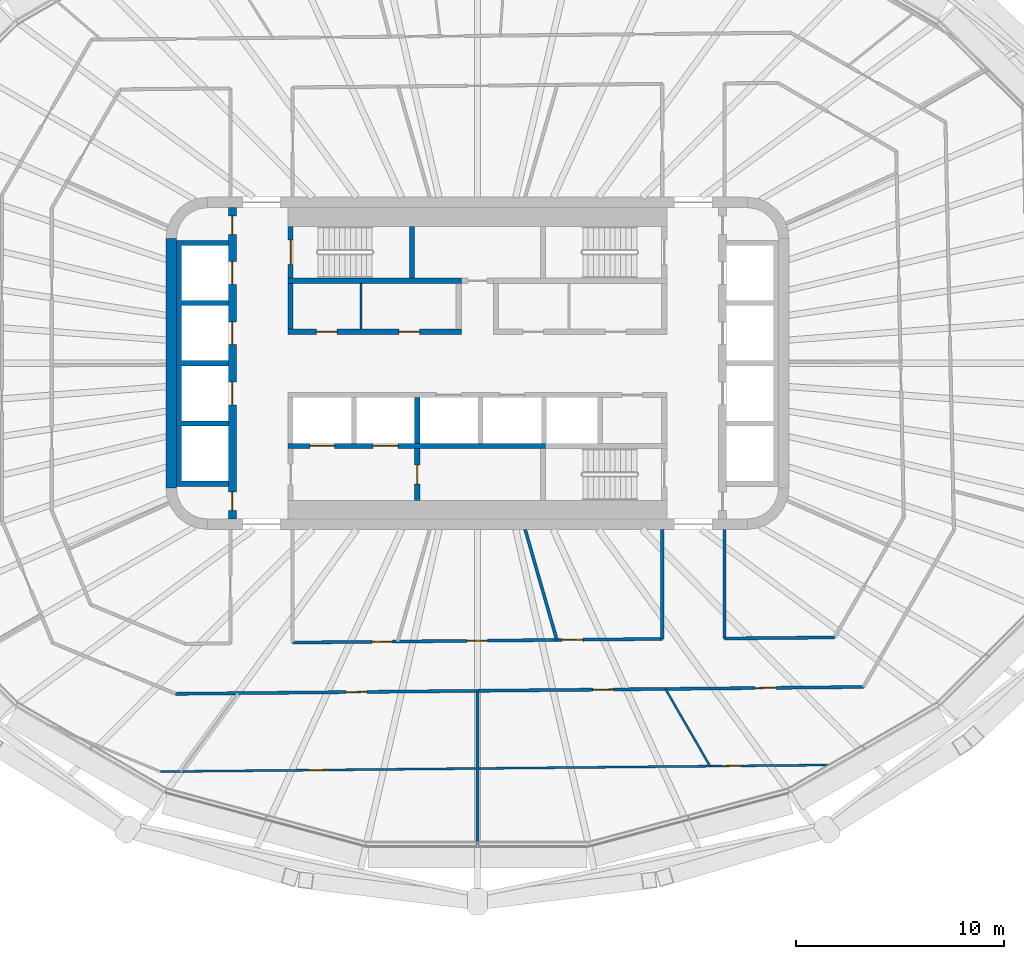
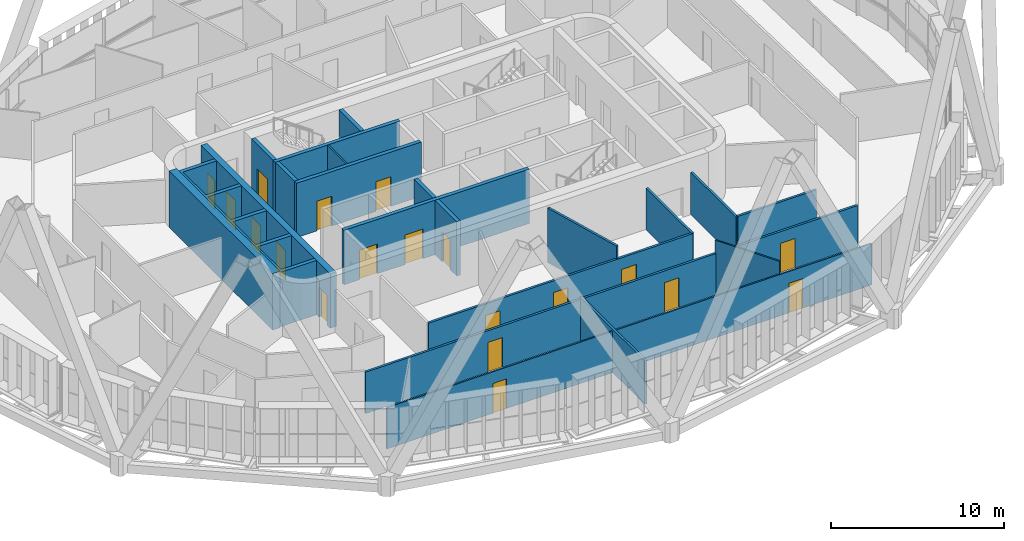
# One storey, part 13 of 25: 21 walls, 19 doors, 19 openings.
"""IFC4 building model written with IfcOpenShell, lengths in metres."""

from ifc_helpers import new_model, si_unit, direction, frame, frame_2d, origin, place, context, subcontext, project, spatial, polyline, rectangle, outline, extrude, material, layer, layer_set, type_object, element, fill, save


model = new_model("IFC4")

# Units and contexts
model_context = context("Model", 3, precision=1e-05, world=origin(), true_north=direction((0.0, 1.0)))
body_context = subcontext(model_context, "Body", "Model", "MODEL_VIEW")
ifc_project = project(units=[si_unit("LENGTHUNIT", "METRE"), si_unit("AREAUNIT", "SQUARE_METRE"), si_unit("VOLUMEUNIT", "CUBIC_METRE"), si_unit("PLANEANGLEUNIT", "RADIAN"), si_unit("MASSUNIT", "GRAM", prefix="KILO")], contexts=[model_context])

# Site, building, storey
site_placement = place(None, origin())
site = spatial("IfcSite", under=ifc_project, at=site_placement, CompositionType="ELEMENT")
building_placement = place(site_placement, origin())
building = spatial("IfcBuilding", under=site, at=building_placement, Name="Sahrelin Media Tower", CompositionType="ELEMENT")
storey_placement = place(building_placement, frame((0.0, 0.0, 181.60009765625)))
storey = spatial("IfcBuildingStorey", under=building, at=storey_placement, Name="L38", CompositionType="ELEMENT", Elevation=181.60009765625)

# Wall
ifc_material_1 = material(Name="Concrete C60/75", Category="concrete")
ifc_layer_1 = layer(ifc_material_1, 0.5)
ifc_layer_set_1 = layer_set([ifc_layer_1], Name="Core wall 500")
wall_type_1 = type_object("IfcWallType", Name="Core wall 500", PredefinedType="SHEAR", material=ifc_layer_set_1)
wall_1_placement = place(storey_placement, frame((-14.75, -6.0, 0.0), z_axis=(0.0, 0.0, 1.0), x_axis=(0.0, 1.0, 0.0)))
element("IfcWall", 1, at=wall_1_placement, inside=storey, type_object=wall_type_1, Name="Core wall W L38", PredefinedType="SHEAR", context=body_context, shape_type="SweptSolid", body=[
    extrude(rectangle(XDim=12.0, YDim=0.5, at=frame_2d((6.0, 0.0))), origin(), (0.0, 0.0, 1.0), 4.0),
])

# Wall, openings, doors
ifc_material_2 = material(Name="Fire-rated gypsum board partition")
ifc_layer_2 = layer(ifc_material_2, 0.25)
ifc_layer_set_2 = layer_set([ifc_layer_2], Name="Fire-rated lobby wall 250")
wall_type_2 = type_object("IfcWallType", Name="Fire-rated lobby wall 250", PredefinedType="PARTITIONING", material=ifc_layer_set_2)
wall_2_placement = place(storey_placement, frame((-9.125, 1.52490234375, 0.0), z_axis=(0.0, 0.0, 1.0), x_axis=(1.0, 0.0, 0.0)))
wall_2 = element("IfcWall", 2, at=wall_2_placement, inside=storey, type_object=wall_type_2, Name="Core lobby wall", PredefinedType="PARTITIONING", context=body_context, shape_type="SweptSolid", body=[
    extrude(rectangle(XDim=8.35009765625, YDim=0.25, at=frame_2d((4.175048828125, 0.0))), origin(), (0.0, 0.0, 1.0), 3.849853515625),
])
opening_1_placement = place(wall_2_placement, frame((1.362548828125, 0.0, 0.0)))
opening_1 = element("IfcOpeningElement", 3, at=opening_1_placement, cuts=wall_2, Name="Opening L38-D07", PredefinedType="OPENING", context=body_context, shape_type="SweptSolid", body=[
    extrude(rectangle(XDim=1.0, YDim=2.10009765625, at=frame_2d((0.5, 1.050048828125))), frame((0.0, 0.125, 0.0), z_axis=(0.0, -1.0, 0.0), x_axis=(1.0, 0.0, 0.0)), (0.0, 0.0, 1.0), 0.25),
])
opening_2_placement = place(wall_2_placement, frame((5.33740234375, 0.0, 0.0)))
opening_2 = element("IfcOpeningElement", 4, at=opening_2_placement, cuts=wall_2, Name="Opening L38-D08", PredefinedType="OPENING", context=body_context, shape_type="SweptSolid", body=[
    extrude(rectangle(XDim=1.0, YDim=2.10009765625, at=frame_2d((0.5, 1.050048828125))), frame((0.0, 0.125, 0.0), z_axis=(0.0, -1.0, 0.0), x_axis=(1.0, 0.0, 0.0)), (0.0, 0.0, 1.0), 0.25),
])
ifc_material_3 = material(Name="Steel fire door leaf", Category="steel")
door_type_1 = type_object("IfcDoorType", Name="Fire door 1000 x 2100 EI 60", OperationType="NOTDEFINED", PredefinedType="DOOR", material=ifc_material_3)
door_1_placement = place(opening_1_placement, origin())
door_1 = element("IfcDoor", 5, at=door_1_placement, inside=storey, type_object=door_type_1, Name="Core room door", OperationType="SINGLE_SWING_LEFT", OverallHeight=2.10009765625, OverallWidth=1.0, PredefinedType="DOOR", context=body_context, shape_type="SweptSolid", body=[
    extrude(rectangle(XDim=1.0, YDim=2.10009765625, at=frame_2d((0.5, 1.050048828125))), frame((0.0, 0.02490234375, 0.0), z_axis=(0.0, -1.0, 0.0), x_axis=(1.0, 0.0, 0.0)), (0.0, 0.0, 1.0), 0.050048828125),
])
fill(opening_1, door_1)
door_2_placement = place(opening_2_placement, origin())
door_2 = element("IfcDoor", 6, at=door_2_placement, inside=storey, type_object=door_type_1, Name="Core room door", OperationType="SINGLE_SWING_LEFT", OverallHeight=2.10009765625, OverallWidth=1.0, PredefinedType="DOOR", context=body_context, shape_type="SweptSolid", body=[
    extrude(rectangle(XDim=1.0, YDim=2.10009765625, at=frame_2d((0.5, 1.050048828125))), frame((0.0, 0.02490234375, 0.0), z_axis=(0.0, -1.0, 0.0), x_axis=(1.0, 0.0, 0.0)), (0.0, 0.0, 1.0), 0.050048828125),
])
fill(opening_2, door_2)

# Walls
wall_3_placement = place(storey_placement, frame((-9.0, 1.64990234375, 0.0), z_axis=(0.0, 0.0, 1.0), x_axis=(0.0, 1.0, 0.0)))
element("IfcWall", 7, at=wall_3_placement, inside=storey, type_object=wall_type_2, Name="Core lobby wall", PredefinedType="PARTITIONING", context=body_context, shape_type="SweptSolid", body=[
    extrude(rectangle(XDim=2.2001953125, YDim=0.25, at=frame_2d((1.10009765625, 0.0))), origin(), (0.0, 0.0, 1.0), 3.849853515625),
])
ifc_layer_3 = layer(ifc_material_2, 0.10009765625)
ifc_layer_set_3 = layer_set([ifc_layer_3], Name="Fire-rated partition 100")
wall_type_3 = type_object("IfcWallType", Name="Fire-rated partition 100", PredefinedType="PARTITIONING", material=ifc_layer_set_3)
wall_4_placement = place(storey_placement, frame((-5.60009765625, 1.64990234375, 0.0), z_axis=(0.0, 0.0, 1.0), x_axis=(0.0, 1.0, 0.0)))
element("IfcWall", 8, at=wall_4_placement, inside=storey, type_object=wall_type_3, Name="Core room partition", PredefinedType="PARTITIONING", context=body_context, shape_type="SweptSolid", body=[
    extrude(rectangle(XDim=2.2001953125, YDim=0.10009765625, at=frame_2d((1.10009765625, 0.0))), origin(), (0.0, 0.0, 1.0), 3.849853515625),
])
ifc_layer_4 = layer(ifc_material_2, 0.14990234375)
ifc_layer_set_4 = layer_set([ifc_layer_4], Name="Fire-rated partition 150")
wall_type_4 = type_object("IfcWallType", Name="Fire-rated partition 150", PredefinedType="PARTITIONING", material=ifc_layer_set_4)
wall_5_placement = place(storey_placement, frame((2.2958984375, -8.0, 0.0), z_axis=(0.0, 0.0, 1.0), x_axis=(0.275935525478, -0.961176147113, 0.0)))
element("IfcWall", 9, at=wall_5_placement, inside=storey, type_object=wall_type_4, Name="Wall", PredefinedType="PARTITIONING", context=body_context, shape_type="SweptSolid", body=[
    extrude(rectangle(XDim=5.54833984375, YDim=0.14990234375, at=frame_2d((2.774169921875, 0.0))), origin(), (0.0, 0.0, 1.0), 3.849853515625),
])

# Wall, openings, doors
wall_6_placement = place(storey_placement, frame((-14.533935546875, -15.916015625, 0.0), z_axis=(0.0, 0.0, 1.0), x_axis=(0.999950564508, 0.009943266119, 0.0)))
wall_6 = element("IfcWall", 10, at=wall_6_placement, inside=storey, type_object=wall_type_4, Name="Wall", PredefinedType="PARTITIONING", context=body_context, shape_type="SweptSolid", body=[
    extrude(rectangle(XDim=33.12255859375, YDim=0.14990234375, at=frame_2d((16.561279296875, 0.0))), origin(), (0.0, 0.0, 1.0), 2.927001953125),
])
opening_3_placement = place(wall_6_placement, frame((20.09130859375, 0.0, 0.0)))
opening_3 = element("IfcOpeningElement", 11, at=opening_3_placement, cuts=wall_6, Name="Opening L38-D34", PredefinedType="OPENING", context=body_context, shape_type="SweptSolid", body=[
    extrude(rectangle(XDim=1.0, YDim=2.10009765625, at=frame_2d((0.5, 1.050048828125))), frame((0.0, 0.074951171875, 0.0), z_axis=(0.0, -1.0, 0.0), x_axis=(1.0, 0.0, 0.0)), (0.0, 0.0, 1.0), 0.14990234375),
])
opening_4_placement = place(wall_6_placement, frame((27.90576171875, 0.0, 0.0)))
opening_4 = element("IfcOpeningElement", 12, at=opening_4_placement, cuts=wall_6, Name="Opening L38-D35", PredefinedType="OPENING", context=body_context, shape_type="SweptSolid", body=[
    extrude(rectangle(XDim=1.0, YDim=2.10009765625, at=frame_2d((0.5, 1.050048828125))), frame((0.0, 0.074951171875, 0.0), z_axis=(0.0, -1.0, 0.0), x_axis=(1.0, 0.0, 0.0)), (0.0, 0.0, 1.0), 0.14990234375),
])
opening_5_placement = place(wall_6_placement, frame((8.21435546875, 0.0, 0.0)))
opening_5 = element("IfcOpeningElement", 13, at=opening_5_placement, cuts=wall_6, Name="Opening L38-D53", PredefinedType="OPENING", context=body_context, shape_type="SweptSolid", body=[
    extrude(rectangle(XDim=1.0, YDim=2.10009765625, at=frame_2d((0.5, 1.050048828125))), frame((0.0, 0.074951171875, 0.0), z_axis=(0.0, -1.0, 0.0), x_axis=(1.0, 0.0, 0.0)), (0.0, 0.0, 1.0), 0.14990234375),
])
door_3_placement = place(opening_3_placement, origin())
door_3 = element("IfcDoor", 14, at=door_3_placement, inside=storey, type_object=door_type_1, Name="Fire door", OperationType="SINGLE_SWING_LEFT", OverallHeight=2.10009765625, OverallWidth=1.0, PredefinedType="DOOR", context=body_context, shape_type="SweptSolid", body=[
    extrude(rectangle(XDim=1.0, YDim=2.10009765625, at=frame_2d((0.5, 1.050048828125))), frame((0.0, 0.02490234375, 0.0), z_axis=(0.0, -1.0, 0.0), x_axis=(1.0, 0.0, 0.0)), (0.0, 0.0, 1.0), 0.050048828125),
])
fill(opening_3, door_3)
door_4_placement = place(opening_4_placement, origin())
door_4 = element("IfcDoor", 15, at=door_4_placement, inside=storey, type_object=door_type_1, Name="Fire door", OperationType="SINGLE_SWING_LEFT", OverallHeight=2.10009765625, OverallWidth=1.0, PredefinedType="DOOR", context=body_context, shape_type="SweptSolid", body=[
    extrude(rectangle(XDim=1.0, YDim=2.10009765625, at=frame_2d((0.5, 1.050048828125))), frame((0.0, 0.02490234375, 0.0), z_axis=(0.0, -1.0, 0.0), x_axis=(1.0, 0.0, 0.0)), (0.0, 0.0, 1.0), 0.050048828125),
])
fill(opening_4, door_4)
door_5_placement = place(opening_5_placement, origin())
door_5 = element("IfcDoor", 16, at=door_5_placement, inside=storey, type_object=door_type_1, Name="Fire door", OperationType="SINGLE_SWING_LEFT", OverallHeight=2.10009765625, OverallWidth=1.0, PredefinedType="DOOR", context=body_context, shape_type="SweptSolid", body=[
    extrude(rectangle(XDim=1.0, YDim=2.10009765625, at=frame_2d((0.5, 1.050048828125))), frame((0.0, 0.02490234375, 0.0), z_axis=(0.0, -1.0, 0.0), x_axis=(1.0, 0.0, 0.0)), (0.0, 0.0, 1.0), 0.050048828125),
])
fill(opening_5, door_5)

wall_7_placement = place(storey_placement, frame((-8.89990234375, -13.448974609375, 0.0), z_axis=(0.0, 0.0, 1.0), x_axis=(0.99995056171, 0.009943547447, 0.0)))
wall_7 = element("IfcWall", 17, at=wall_7_placement, inside=storey, type_object=wall_type_4, Name="Wall", PredefinedType="PARTITIONING", context=body_context, shape_type="SweptSolid", body=[
    extrude(rectangle(XDim=17.80078125, YDim=0.14990234375, at=frame_2d((8.900390625, 0.0))), origin(), (0.0, 0.0, 1.0), 2.927001953125),
])
opening_6_placement = place(wall_7_placement, frame((3.818359375, 0.0, 0.0)))
opening_6 = element("IfcOpeningElement", 18, at=opening_6_placement, cuts=wall_7, Name="Opening L38-D20", PredefinedType="OPENING", context=body_context, shape_type="SweptSolid", body=[
    extrude(rectangle(XDim=1.0, YDim=2.10009765625, at=frame_2d((0.5, 1.050048828125))), frame((0.0, 0.074951171875, 0.0), z_axis=(0.0, -1.0, 0.0), x_axis=(1.0, 0.0, 0.0)), (0.0, 0.0, 1.0), 0.14990234375),
])
opening_7_placement = place(wall_7_placement, frame((8.39111328125, 0.0, 0.0)))
opening_7 = element("IfcOpeningElement", 19, at=opening_7_placement, cuts=wall_7, Name="Opening L38-D21", PredefinedType="OPENING", context=body_context, shape_type="SweptSolid", body=[
    extrude(rectangle(XDim=1.0, YDim=2.10009765625, at=frame_2d((0.5, 1.050048828125))), frame((0.0, 0.074951171875, 0.0), z_axis=(0.0, -1.0, 0.0), x_axis=(1.0, 0.0, 0.0)), (0.0, 0.0, 1.0), 0.14990234375),
])
opening_8_placement = place(wall_7_placement, frame((12.97509765625, 0.0, 0.0)))
opening_8 = element("IfcOpeningElement", 20, at=opening_8_placement, cuts=wall_7, Name="Opening L38-D22", PredefinedType="OPENING", context=body_context, shape_type="SweptSolid", body=[
    extrude(rectangle(XDim=1.0, YDim=2.10009765625, at=frame_2d((0.5, 1.050048828125))), frame((0.0, 0.074951171875, 0.0), z_axis=(0.0, -1.0, 0.0), x_axis=(1.0, 0.0, 0.0)), (0.0, 0.0, 1.0), 0.14990234375),
])
door_6_placement = place(opening_6_placement, origin())
door_6 = element("IfcDoor", 21, at=door_6_placement, inside=storey, type_object=door_type_1, Name="Fire door", OperationType="SINGLE_SWING_LEFT", OverallHeight=2.10009765625, OverallWidth=1.0, PredefinedType="DOOR", context=body_context, shape_type="SweptSolid", body=[
    extrude(rectangle(XDim=1.0, YDim=2.10009765625, at=frame_2d((0.5, 1.050048828125))), frame((0.0, 0.02490234375, 0.0), z_axis=(0.0, -1.0, 0.0), x_axis=(1.0, 0.0, 0.0)), (0.0, 0.0, 1.0), 0.050048828125),
])
fill(opening_6, door_6)
door_7_placement = place(opening_7_placement, origin())
door_7 = element("IfcDoor", 22, at=door_7_placement, inside=storey, type_object=door_type_1, Name="Fire door", OperationType="SINGLE_SWING_LEFT", OverallHeight=2.10009765625, OverallWidth=1.0, PredefinedType="DOOR", context=body_context, shape_type="SweptSolid", body=[
    extrude(rectangle(XDim=1.0, YDim=2.10009765625, at=frame_2d((0.5, 1.050048828125))), frame((0.0, 0.02490234375, 0.0), z_axis=(0.0, -1.0, 0.0), x_axis=(1.0, 0.0, 0.0)), (0.0, 0.0, 1.0), 0.050048828125),
])
fill(opening_7, door_7)
door_8_placement = place(opening_8_placement, origin())
door_8 = element("IfcDoor", 23, at=door_8_placement, inside=storey, type_object=door_type_1, Name="Fire door", OperationType="SINGLE_SWING_LEFT", OverallHeight=2.10009765625, OverallWidth=1.0, PredefinedType="DOOR", context=body_context, shape_type="SweptSolid", body=[
    extrude(rectangle(XDim=1.0, YDim=2.10009765625, at=frame_2d((0.5, 1.050048828125))), frame((0.0, 0.02490234375, 0.0), z_axis=(0.0, -1.0, 0.0), x_axis=(1.0, 0.0, 0.0)), (0.0, 0.0, 1.0), 0.050048828125),
])
fill(opening_8, door_8)

# Walls
wall_8_placement = place(storey_placement, frame((11.89990234375, -13.2529296875, 0.0), z_axis=(0.0, 0.0, 1.0), x_axis=(0.999950853109, 0.009914200296, 0.0)))
element("IfcWall", 24, at=wall_8_placement, inside=storey, type_object=wall_type_4, Name="Wall", PredefinedType="PARTITIONING", context=body_context, shape_type="SweptSolid", body=[
    extrude(rectangle(XDim=5.29443359375, YDim=0.14990234375, at=frame_2d((2.647216796875, 0.0))), origin(), (0.0, 0.0, 1.0), 3.075927734375),
])
wall_9_placement = place(storey_placement, frame((11.89990234375, -13.2529296875, 0.0), z_axis=(0.0, 0.0, 1.0), x_axis=(0.0, 1.0, 0.0)))
element("IfcWall", 25, at=wall_9_placement, inside=storey, type_object=wall_type_4, Name="Wall", PredefinedType="PARTITIONING", context=body_context, shape_type="SweptSolid", body=[
    extrude(rectangle(XDim=5.2529296875, YDim=0.14990234375, at=frame_2d((2.62646484375, 0.0))), origin(), (0.0, 0.0, 1.0), 2.994873046875),
])
wall_10_placement = place(storey_placement, frame((8.89990234375, -13.282958984375, 0.0), z_axis=(0.0, 0.0, 1.0), x_axis=(0.0, 1.0, 0.0)))
element("IfcWall", 26, at=wall_10_placement, inside=storey, type_object=wall_type_4, Name="Wall", PredefinedType="PARTITIONING", context=body_context, shape_type="SweptSolid", body=[
    extrude(rectangle(XDim=5.282958984375, YDim=0.14990234375, at=frame_2d((2.6416015625, 0.0))), origin(), (0.0, 0.0, 1.0), 2.927001953125),
])
wall_11_placement = place(storey_placement, frame((0.0, -23.27392578125, 0.0), z_axis=(0.0, 0.0, 1.0), x_axis=(0.0, 1.0, 0.0)))
element("IfcWall", 27, at=wall_11_placement, inside=storey, type_object=wall_type_4, Name="Wall", PredefinedType="PARTITIONING", context=body_context, shape_type="SweptSolid", body=[
    extrude(rectangle(XDim=7.501953125, YDim=0.14990234375, at=frame_2d((3.7509765625, 0.0))), origin(), (0.0, 0.0, 1.0), 3.075927734375),
])

# Wall, opening, door
ifc_layer_5 = layer(ifc_material_2, 0.25)
ifc_layer_set_5 = layer_set([ifc_layer_5], Name="Firefighting lobby wall 250")
wall_type_5 = type_object("IfcWallType", Name="Firefighting lobby wall 250", PredefinedType="PARTITIONING", material=ifc_layer_set_5)
wall_12_placement = place(storey_placement, frame((-2.89990234375, -6.60009765625, 0.0), z_axis=(0.0, 0.0, 1.0), x_axis=(0.0, 1.0, 0.0)))
wall_12 = element("IfcWall", 28, at=wall_12_placement, inside=storey, type_object=wall_type_5, Name="Core wall", PredefinedType="PARTITIONING", context=body_context, shape_type="SweptSolid", body=[
    extrude(rectangle(XDim=2.5, YDim=0.25, at=frame_2d((1.25, 0.0))), origin(), (0.0, 0.0, 1.0), 3.849853515625),
])
opening_9_placement = place(wall_12_placement, frame((0.800048828125, 0.0, 0.0)))
opening_9 = element("IfcOpeningElement", 29, at=opening_9_placement, cuts=wall_12, Name="Opening L38-D05", PredefinedType="OPENING", context=body_context, shape_type="SweptSolid", body=[
    extrude(rectangle(XDim=0.89990234375, YDim=2.10009765625, at=frame_2d((0.449951171875, 1.050048828125))), frame((0.0, 0.125, 0.0), z_axis=(0.0, -1.0, 0.0), x_axis=(1.0, 0.0, 0.0)), (0.0, 0.0, 1.0), 0.25),
])
door_type_2 = type_object("IfcDoorType", Name="Firefighting lobby door 900 x 2100 EI 120", OperationType="NOTDEFINED", PredefinedType="DOOR", material=ifc_material_3)
door_9_placement = place(opening_9_placement, origin())
door_9 = element("IfcDoor", 30, at=door_9_placement, inside=storey, type_object=door_type_2, Name="Riser door", OperationType="SINGLE_SWING_RIGHT", OverallHeight=2.10009765625, OverallWidth=0.89990234375, PredefinedType="DOOR", context=body_context, shape_type="SweptSolid", body=[
    extrude(rectangle(XDim=0.89990234375, YDim=2.10009765625, at=frame_2d((0.449951171875, 1.050048828125))), frame((0.0, 0.02490234375, 0.0), z_axis=(0.0, -1.0, 0.0), x_axis=(1.0, 0.0, 0.0)), (0.0, 0.0, 1.0), 0.050048828125),
])
fill(opening_9, door_9)

# Wall, openings, doors
ifc_layer_6 = layer(ifc_material_1, 0.25)
ifc_layer_set_6 = layer_set([ifc_layer_6], Name="Lift shaft wall 250")
wall_type_6 = type_object("IfcWallType", Name="Lift shaft wall 250", PredefinedType="SOLIDWALL", material=ifc_layer_set_6)
wall_13_placement = place(storey_placement, frame((-9.125, -3.97509765625, 0.0), z_axis=(0.0, 0.0, 1.0), x_axis=(1.0, 0.0, 0.0)))
wall_13 = element("IfcWall", 31, at=wall_13_placement, inside=storey, type_object=wall_type_6, Name="Lift shaft wall", PredefinedType="SOLIDWALL", context=body_context, shape_type="SweptSolid", body=[
    extrude(rectangle(XDim=12.39990234375, YDim=0.25, at=frame_2d((6.199951171875, 0.0))), origin(), (0.0, 0.0, 1.0), 3.849853515625),
])
opening_10_placement = place(wall_13_placement, frame((1.050048828125, 0.0, 0.0)))
opening_10 = element("IfcOpeningElement", 32, at=opening_10_placement, cuts=wall_13, Name="Opening L38-LD-FF1", PredefinedType="OPENING", context=body_context, shape_type="SweptSolid", body=[
    extrude(rectangle(XDim=1.199951171875, YDim=2.10009765625, at=frame_2d((0.60009765625, 1.050048828125))), frame((0.0, 0.125, 0.0), z_axis=(0.0, -1.0, 0.0), x_axis=(1.0, 0.0, 0.0)), (0.0, 0.0, 1.0), 0.25),
])
opening_11_placement = place(wall_13_placement, frame((4.10009765625, 0.0, 0.0)))
opening_11 = element("IfcOpeningElement", 33, at=opening_11_placement, cuts=wall_13, Name="Opening L38-LD-FF2", PredefinedType="OPENING", context=body_context, shape_type="SweptSolid", body=[
    extrude(rectangle(XDim=1.199951171875, YDim=2.10009765625, at=frame_2d((0.60009765625, 1.050048828125))), frame((0.0, 0.125, 0.0), z_axis=(0.0, -1.0, 0.0), x_axis=(1.0, 0.0, 0.0)), (0.0, 0.0, 1.0), 0.25),
])
ifc_material_4 = material(Name="Stainless steel", Category="steel")
door_type_3 = type_object("IfcDoorType", Name="Lift landing door 1200 x 2100 EI 120", OperationType="DOUBLE_DOOR_SLIDING", PredefinedType="DOOR", material=ifc_material_4)
door_10_placement = place(opening_10_placement, origin())
door_10 = element("IfcDoor", 34, at=door_10_placement, inside=storey, type_object=door_type_3, Name="Lift landing door FF1", OperationType="DOUBLE_DOOR_SLIDING", OverallHeight=2.10009765625, OverallWidth=1.199951171875, PredefinedType="DOOR", context=body_context, shape_type="SweptSolid", body=[
    extrude(rectangle(XDim=1.199951171875, YDim=2.10009765625, at=frame_2d((0.60009765625, 1.050048828125))), frame((0.0, 0.02490234375, 0.0), z_axis=(0.0, -1.0, 0.0), x_axis=(1.0, 0.0, 0.0)), (0.0, 0.0, 1.0), 0.050048828125),
])
fill(opening_10, door_10)
door_11_placement = place(opening_11_placement, origin())
door_11 = element("IfcDoor", 35, at=door_11_placement, inside=storey, type_object=door_type_3, Name="Lift landing door FF2", OperationType="DOUBLE_DOOR_SLIDING", OverallHeight=2.10009765625, OverallWidth=1.199951171875, PredefinedType="DOOR", context=body_context, shape_type="SweptSolid", body=[
    extrude(rectangle(XDim=1.199951171875, YDim=2.10009765625, at=frame_2d((0.60009765625, 1.050048828125))), frame((0.0, 0.02490234375, 0.0), z_axis=(0.0, -1.0, 0.0), x_axis=(1.0, 0.0, 0.0)), (0.0, 0.0, 1.0), 0.050048828125),
])
fill(opening_11, door_11)

# Walls
wall_14_placement = place(storey_placement, frame((-2.89990234375, -3.85009765625, 0.0), z_axis=(0.0, 0.0, 1.0), x_axis=(0.0, 1.0, 0.0)))
element("IfcWall", 36, at=wall_14_placement, inside=storey, type_object=wall_type_6, Name="Lift shaft wall", PredefinedType="SOLIDWALL", context=body_context, shape_type="SweptSolid", body=[
    extrude(rectangle(XDim=2.2001953125, YDim=0.25, at=frame_2d((1.10009765625, 0.0))), origin(), (0.0, 0.0, 1.0), 3.849853515625),
])
wall_15_placement = place(storey_placement, origin())
element("IfcWall", 37, at=wall_15_placement, inside=storey, type_object=wall_type_6, Name="Lift shaft wall", PredefinedType="SOLIDWALL", context=body_context, shape_type="SweptSolid", body=[
    extrude(outline(polyline([(-12.0, -5.925048828125), (-12.0, -5.675048828125), (-14.25, -5.675048828125), (-14.25, -3.02490234375), (-12.0, -3.02490234375), (-12.0, -2.77490234375), (-14.25, -2.77490234375), (-14.25, -0.125), (-12.0, -0.125), (-12.0, 0.125), (-14.25, 0.125), (-14.25, 2.77490234375), (-12.0, 2.77490234375), (-12.0, 3.02490234375), (-14.25, 3.02490234375), (-14.25, 5.675048828125), (-12.0, 5.675048828125), (-12.0, 5.925048828125), (-14.25, 5.925048828125), (-14.5, 5.925048828125), (-14.5, 5.675048828125), (-14.5, 3.02490234375), (-14.5, 2.77490234375), (-14.5, 0.125), (-14.5, -0.125), (-14.5, -2.77490234375), (-14.5, -3.02490234375), (-14.5, -5.675048828125), (-14.5, -5.925048828125), (-14.25, -5.925048828125), (-12.0, -5.925048828125)])), origin(), (0.0, 0.0, 1.0), 3.849853515625),
])

# Wall, openings, doors
ifc_layer_7 = layer(ifc_material_1, 0.39990234375)
ifc_layer_set_7 = layer_set([ifc_layer_7], Name="Lift shaft wall 400")
wall_type_7 = type_object("IfcWallType", Name="Lift shaft wall 400", PredefinedType="SOLIDWALL", material=ifc_layer_set_7)
wall_16_placement = place(storey_placement, frame((-11.800048828125, -7.5, 0.0), z_axis=(0.0, 0.0, 1.0), x_axis=(0.0, 1.0, 0.0)))
wall_16 = element("IfcWall", 38, at=wall_16_placement, inside=storey, type_object=wall_type_7, Name="Lift shaft wall", PredefinedType="SOLIDWALL", context=body_context, shape_type="SweptSolid", body=[
    extrude(rectangle(XDim=15.0, YDim=0.39990234375, at=frame_2d((7.5, 0.0))), origin(), (0.0, 0.0, 1.0), 3.849853515625),
])
opening_12_placement = place(wall_16_placement, frame((11.300048828125, 0.0, 0.0)))
opening_12 = element("IfcOpeningElement", 39, at=opening_12_placement, cuts=wall_16, Name="Opening L38-LD-LR1", PredefinedType="OPENING", context=body_context, shape_type="SweptSolid", body=[
    extrude(rectangle(XDim=1.10009765625, YDim=2.10009765625, at=frame_2d((0.550048828125, 1.050048828125))), frame((0.0, 0.199951171875, 0.0), z_axis=(0.0, -1.0, 0.0), x_axis=(1.0, 0.0, 0.0)), (0.0, 0.0, 1.0), 0.39990234375),
])
opening_13_placement = place(wall_16_placement, frame((8.39990234375, 0.0, 0.0)))
opening_13 = element("IfcOpeningElement", 40, at=opening_13_placement, cuts=wall_16, Name="Opening L38-LD-LR2", PredefinedType="OPENING", context=body_context, shape_type="SweptSolid", body=[
    extrude(rectangle(XDim=1.10009765625, YDim=2.10009765625, at=frame_2d((0.550048828125, 1.050048828125))), frame((0.0, 0.199951171875, 0.0), z_axis=(0.0, -1.0, 0.0), x_axis=(1.0, 0.0, 0.0)), (0.0, 0.0, 1.0), 0.39990234375),
])
opening_14_placement = place(wall_16_placement, frame((5.5, 0.0, 0.0)))
opening_14 = element("IfcOpeningElement", 41, at=opening_14_placement, cuts=wall_16, Name="Opening L38-LD-LR3", PredefinedType="OPENING", context=body_context, shape_type="SweptSolid", body=[
    extrude(rectangle(XDim=1.10009765625, YDim=2.10009765625, at=frame_2d((0.550048828125, 1.050048828125))), frame((0.0, 0.199951171875, 0.0), z_axis=(0.0, -1.0, 0.0), x_axis=(1.0, 0.0, 0.0)), (0.0, 0.0, 1.0), 0.39990234375),
])
opening_15_placement = place(wall_16_placement, frame((13.696533203125, 0.0, 0.0)))
opening_15 = element("IfcOpeningElement", 42, at=opening_15_placement, cuts=wall_16, Name="Opening L38-D12", PredefinedType="OPENING", context=body_context, shape_type="SweptSolid", body=[
    extrude(rectangle(XDim=0.89990234375, YDim=2.10009765625, at=frame_2d((0.449951171875, 1.050048828125))), frame((0.0, 0.199951171875, 0.0), z_axis=(0.0, -1.0, 0.0), x_axis=(1.0, 0.0, 0.0)), (0.0, 0.0, 1.0), 0.39990234375),
])
opening_16_placement = place(wall_16_placement, frame((0.4033203125, 0.0, 0.0)))
opening_16 = element("IfcOpeningElement", 43, at=opening_16_placement, cuts=wall_16, Name="Opening L38-D13", PredefinedType="OPENING", context=body_context, shape_type="SweptSolid", body=[
    extrude(rectangle(XDim=0.89990234375, YDim=2.10009765625, at=frame_2d((0.449951171875, 1.050048828125))), frame((0.0, 0.199951171875, 0.0), z_axis=(0.0, -1.0, 0.0), x_axis=(1.0, 0.0, 0.0)), (0.0, 0.0, 1.0), 0.39990234375),
])
door_type_4 = type_object("IfcDoorType", Name="Lift landing door 1100 x 2100 EI 120", OperationType="DOUBLE_DOOR_SLIDING", PredefinedType="DOOR", material=ifc_material_4)
door_12_placement = place(opening_12_placement, origin())
door_12 = element("IfcDoor", 44, at=door_12_placement, inside=storey, type_object=door_type_4, Name="Lift landing door LR1", OperationType="DOUBLE_DOOR_SLIDING", OverallHeight=2.10009765625, OverallWidth=1.10009765625, PredefinedType="DOOR", context=body_context, shape_type="SweptSolid", body=[
    extrude(rectangle(XDim=1.10009765625, YDim=2.10009765625, at=frame_2d((0.550048828125, 1.050048828125))), frame((0.0, 0.02490234375, 0.0), z_axis=(0.0, -1.0, 0.0), x_axis=(1.0, 0.0, 0.0)), (0.0, 0.0, 1.0), 0.050048828125),
])
fill(opening_12, door_12)
door_13_placement = place(opening_13_placement, origin())
door_13 = element("IfcDoor", 45, at=door_13_placement, inside=storey, type_object=door_type_4, Name="Lift landing door LR2", OperationType="DOUBLE_DOOR_SLIDING", OverallHeight=2.10009765625, OverallWidth=1.10009765625, PredefinedType="DOOR", context=body_context, shape_type="SweptSolid", body=[
    extrude(rectangle(XDim=1.10009765625, YDim=2.10009765625, at=frame_2d((0.550048828125, 1.050048828125))), frame((0.0, 0.02490234375, 0.0), z_axis=(0.0, -1.0, 0.0), x_axis=(1.0, 0.0, 0.0)), (0.0, 0.0, 1.0), 0.050048828125),
])
fill(opening_13, door_13)
door_14_placement = place(opening_14_placement, origin())
door_14 = element("IfcDoor", 46, at=door_14_placement, inside=storey, type_object=door_type_4, Name="Lift landing door LR3", OperationType="DOUBLE_DOOR_SLIDING", OverallHeight=2.10009765625, OverallWidth=1.10009765625, PredefinedType="DOOR", context=body_context, shape_type="SweptSolid", body=[
    extrude(rectangle(XDim=1.10009765625, YDim=2.10009765625, at=frame_2d((0.550048828125, 1.050048828125))), frame((0.0, 0.02490234375, 0.0), z_axis=(0.0, -1.0, 0.0), x_axis=(1.0, 0.0, 0.0)), (0.0, 0.0, 1.0), 0.050048828125),
])
fill(opening_14, door_14)
door_type_5 = type_object("IfcDoorType", Name="Riser door 900 x 2100 EI 120", OperationType="NOTDEFINED", PredefinedType="DOOR", material=ifc_material_3)
door_15_placement = place(opening_15_placement, origin())
door_15 = element("IfcDoor", 47, at=door_15_placement, inside=storey, type_object=door_type_5, Name="Riser door", OperationType="SINGLE_SWING_LEFT", OverallHeight=2.10009765625, OverallWidth=0.89990234375, PredefinedType="DOOR", context=body_context, shape_type="SweptSolid", body=[
    extrude(rectangle(XDim=0.89990234375, YDim=2.10009765625, at=frame_2d((0.449951171875, 1.050048828125))), frame((0.0, 0.02490234375, 0.0), z_axis=(0.0, -1.0, 0.0), x_axis=(1.0, 0.0, 0.0)), (0.0, 0.0, 1.0), 0.050048828125),
])
fill(opening_15, door_15)
door_16_placement = place(opening_16_placement, origin())
door_16 = element("IfcDoor", 48, at=door_16_placement, inside=storey, type_object=door_type_5, Name="Riser door", OperationType="SINGLE_SWING_LEFT", OverallHeight=2.10009765625, OverallWidth=0.89990234375, PredefinedType="DOOR", context=body_context, shape_type="SweptSolid", body=[
    extrude(rectangle(XDim=0.89990234375, YDim=2.10009765625, at=frame_2d((0.449951171875, 1.050048828125))), frame((0.0, 0.02490234375, 0.0), z_axis=(0.0, -1.0, 0.0), x_axis=(1.0, 0.0, 0.0)), (0.0, 0.0, 1.0), 0.050048828125),
])
fill(opening_16, door_16)

# Wall
ifc_material_5 = material(Name="Gypsum board partition")
ifc_layer_8 = layer(ifc_material_5, 0.10009765625)
ifc_layer_set_8 = layer_set([ifc_layer_8], Name="Partition 100")
wall_type_8 = type_object("IfcWallType", Name="Partition 100", PredefinedType="PARTITIONING", material=ifc_layer_set_8)
wall_17_placement = place(storey_placement, frame((9.053955078125, -15.681884765625, 0.0), z_axis=(0.0, 0.0, 1.0), x_axis=(0.499966883342, -0.866044522851, 0.0)))
element("IfcWall", 49, at=wall_17_placement, inside=storey, type_object=wall_type_8, Name="Wall", PredefinedType="PARTITIONING", context=body_context, shape_type="SweptSolid", body=[
    extrude(rectangle(XDim=4.294189453125, YDim=0.10009765625, at=frame_2d((2.14697265625, 0.0))), origin(), (0.0, 0.0, 1.0), 3.849853515625),
])

# Wall, openings, doors
wall_18_placement = place(storey_placement, frame((-15.260009765625, -19.6630859375, 0.0), z_axis=(0.0, 0.0, 1.0), x_axis=(0.999950698652, 0.009929766651, 0.0)))
wall_18 = element("IfcWall", 50, at=wall_18_placement, inside=storey, type_object=wall_type_8, Name="Wall", PredefinedType="PARTITIONING", context=body_context, shape_type="SweptSolid", body=[
    extrude(rectangle(XDim=32.626708984375, YDim=0.10009765625, at=frame_2d((16.3134765625, 0.0))), origin(), (0.0, 0.0, 1.0), 2.927001953125),
])
opening_17_placement = place(wall_18_placement, frame((27.06298828125, 0.0, 0.0)))
opening_17 = element("IfcOpeningElement", 51, at=opening_17_placement, cuts=wall_18, Name="Opening L38-D36", PredefinedType="OPENING", context=body_context, shape_type="SweptSolid", body=[
    extrude(rectangle(XDim=0.89990234375, YDim=2.10009765625, at=frame_2d((0.449951171875, 1.050048828125))), frame((0.0, 0.050048828125, 0.0), z_axis=(0.0, -1.0, 0.0), x_axis=(1.0, 0.0, 0.0)), (0.0, 0.0, 1.0), 0.10009765625),
])
opening_18_placement = place(wall_18_placement, frame((7.131103515625, 0.0, 0.0)))
opening_18 = element("IfcOpeningElement", 52, at=opening_18_placement, cuts=wall_18, Name="Opening L38-D54", PredefinedType="OPENING", context=body_context, shape_type="SweptSolid", body=[
    extrude(rectangle(XDim=0.89990234375, YDim=2.10009765625, at=frame_2d((0.449951171875, 1.050048828125))), frame((0.0, 0.050048828125, 0.0), z_axis=(0.0, -1.0, 0.0), x_axis=(1.0, 0.0, 0.0)), (0.0, 0.0, 1.0), 0.10009765625),
])
ifc_material_6 = material(Name="Timber door leaf", Category="wood")
door_type_6 = type_object("IfcDoorType", Name="Single door 900 x 2100", OperationType="NOTDEFINED", PredefinedType="DOOR", material=ifc_material_6)
door_17_placement = place(opening_17_placement, origin())
door_17 = element("IfcDoor", 53, at=door_17_placement, inside=storey, type_object=door_type_6, Name="Single door", OperationType="SINGLE_SWING_LEFT", OverallHeight=2.10009765625, OverallWidth=0.89990234375, PredefinedType="DOOR", context=body_context, shape_type="SweptSolid", body=[
    extrude(rectangle(XDim=0.89990234375, YDim=2.10009765625, at=frame_2d((0.449951171875, 1.050048828125))), frame((0.0, 0.02490234375, 0.0), z_axis=(0.0, -1.0, 0.0), x_axis=(1.0, 0.0, 0.0)), (0.0, 0.0, 1.0), 0.050048828125),
])
fill(opening_17, door_17)
door_18_placement = place(opening_18_placement, origin())
door_18 = element("IfcDoor", 54, at=door_18_placement, inside=storey, type_object=door_type_6, Name="Single door", OperationType="SINGLE_SWING_LEFT", OverallHeight=2.10009765625, OverallWidth=0.89990234375, PredefinedType="DOOR", context=body_context, shape_type="SweptSolid", body=[
    extrude(rectangle(XDim=0.89990234375, YDim=2.10009765625, at=frame_2d((0.449951171875, 1.050048828125))), frame((0.0, 0.02490234375, 0.0), z_axis=(0.0, -1.0, 0.0), x_axis=(1.0, 0.0, 0.0)), (0.0, 0.0, 1.0), 0.050048828125),
])
fill(opening_18, door_18)

# Wall, opening, door
ifc_layer_9 = layer(ifc_material_1, 0.25)
ifc_layer_set_9 = layer_set([ifc_layer_9], Name="Stair enclosure wall 250")
wall_type_9 = type_object("IfcWallType", Name="Stair enclosure wall 250", PredefinedType="SOLIDWALL", material=ifc_layer_set_9)
wall_19_placement = place(storey_placement, frame((-9.0, 4.10009765625, 0.0), z_axis=(0.0, 0.0, 1.0), x_axis=(0.0, 1.0, 0.0)))
wall_19 = element("IfcWall", 55, at=wall_19_placement, inside=storey, type_object=wall_type_9, Name="Stair enclosure wall", PredefinedType="SOLIDWALL", context=body_context, shape_type="SweptSolid", body=[
    extrude(rectangle(XDim=2.5, YDim=0.25, at=frame_2d((1.25, 0.0))), origin(), (0.0, 0.0, 1.0), 3.849853515625),
])
opening_19_placement = place(wall_19_placement, frame((0.64990234375, 0.0, 0.0)))
opening_19 = element("IfcOpeningElement", 56, at=opening_19_placement, cuts=wall_19, Name="Opening L38-D01", PredefinedType="OPENING", context=body_context, shape_type="SweptSolid", body=[
    extrude(rectangle(XDim=1.199951171875, YDim=2.10009765625, at=frame_2d((0.60009765625, 1.050048828125))), frame((0.0, 0.125, 0.0), z_axis=(0.0, -1.0, 0.0), x_axis=(1.0, 0.0, 0.0)), (0.0, 0.0, 1.0), 0.25),
])
door_type_7 = type_object("IfcDoorType", Name="Stair door 1200 x 2100 EI 120", OperationType="NOTDEFINED", PredefinedType="DOOR", material=ifc_material_3)
door_19_placement = place(opening_19_placement, origin())
door_19 = element("IfcDoor", 57, at=door_19_placement, inside=storey, type_object=door_type_7, Name="Stair door ST1", OperationType="SINGLE_SWING_RIGHT", OverallHeight=2.10009765625, OverallWidth=1.199951171875, PredefinedType="DOOR", context=body_context, shape_type="SweptSolid", body=[
    extrude(rectangle(XDim=1.199951171875, YDim=2.10009765625, at=frame_2d((0.60009765625, 1.050048828125))), frame((0.0, 0.02490234375, 0.0), z_axis=(0.0, -1.0, 0.0), x_axis=(1.0, 0.0, 0.0)), (0.0, 0.0, 1.0), 0.050048828125),
])
fill(opening_19, door_19)

# Walls
wall_20_placement = place(storey_placement, frame((-3.14990234375, 4.10009765625, 0.0), z_axis=(0.0, 0.0, 1.0), x_axis=(0.0, 1.0, 0.0)))
element("IfcWall", 58, at=wall_20_placement, inside=storey, type_object=wall_type_9, Name="Stair enclosure wall", PredefinedType="SOLIDWALL", context=body_context, shape_type="SweptSolid", body=[
    extrude(rectangle(XDim=2.5, YDim=0.25, at=frame_2d((1.25, 0.0))), origin(), (0.0, 0.0, 1.0), 3.849853515625),
])
wall_21_placement = place(storey_placement, frame((-9.125, 3.97509765625, 0.0), z_axis=(0.0, 0.0, 1.0), x_axis=(1.0, 0.0, 0.0)))
element("IfcWall", 59, at=wall_21_placement, inside=storey, type_object=wall_type_9, Name="Stair enclosure wall", PredefinedType="SOLIDWALL", context=body_context, shape_type="SweptSolid", body=[
    extrude(rectangle(XDim=8.35009765625, YDim=0.25, at=frame_2d((4.175048828125, 0.0))), origin(), (0.0, 0.0, 1.0), 3.849853515625),
])

save(model, "model.ifc")
